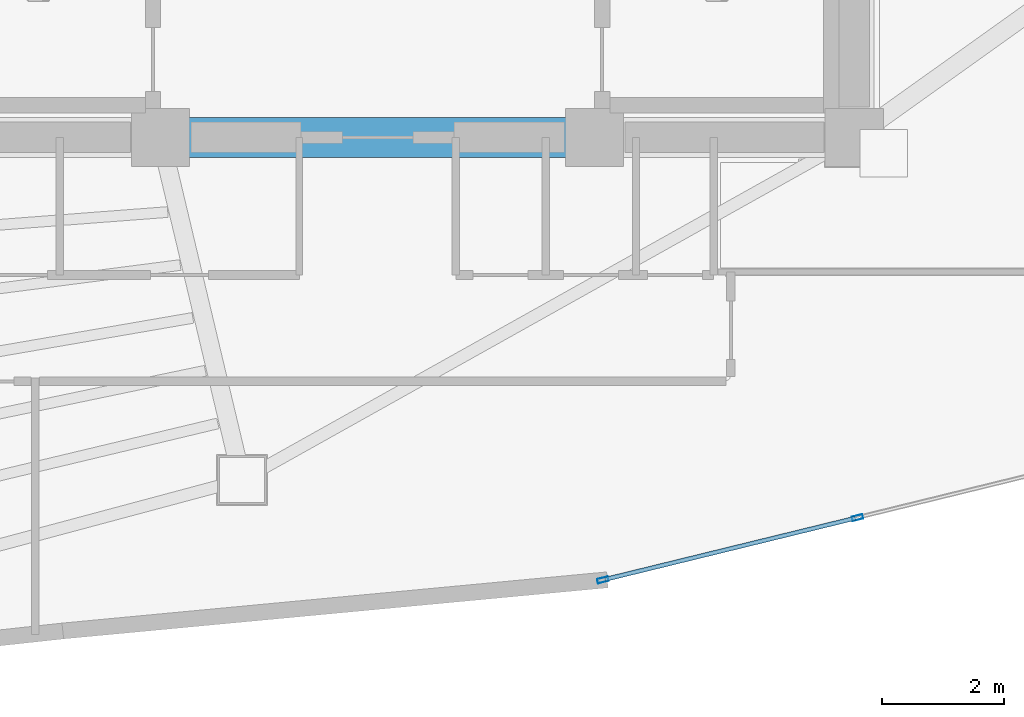
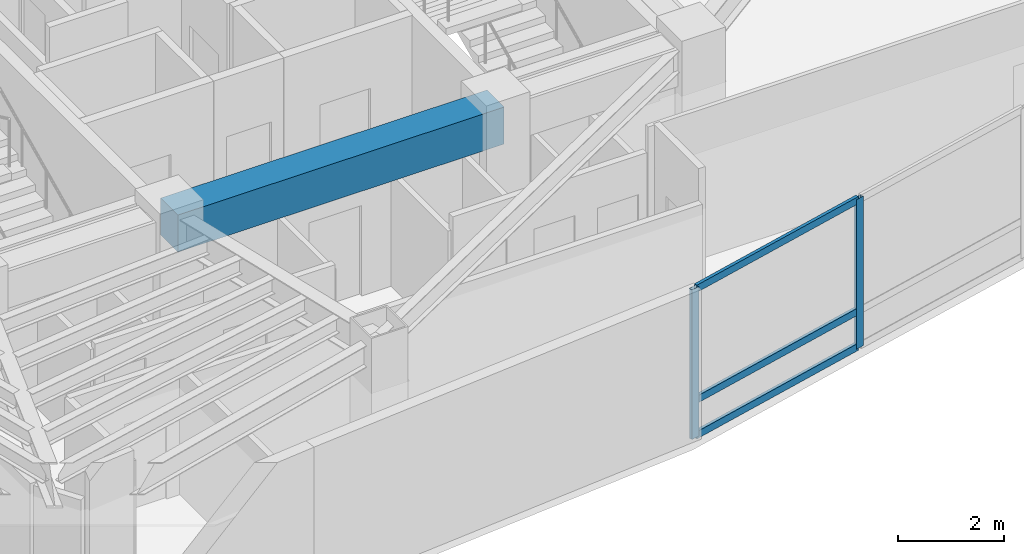
# One storey, part 4 of 17: 5 members, 1 beam, 1 element without a shape of its own.
"""IFC4 building model written with IfcOpenShell, lengths in metres."""

from ifc_helpers import new_model, si_unit, direction, frame, origin, origin_2d, place, context, subcontext, project, spatial, rectangle, hollow_rectangle, extrude, material, layer, layer_set, material_profile, profile_set, type_object, element, aggregate, save


model = new_model("IFC4")

# Units and contexts
model_context = context("Model", 3, precision=1e-05, world=origin(), true_north=direction((0.0, 1.0)))
body_context = subcontext(model_context, "Body", "Model", "MODEL_VIEW")
ifc_project = project(units=[si_unit("LENGTHUNIT", "METRE"), si_unit("AREAUNIT", "SQUARE_METRE"), si_unit("VOLUMEUNIT", "CUBIC_METRE"), si_unit("PLANEANGLEUNIT", "RADIAN"), si_unit("MASSUNIT", "GRAM", prefix="KILO")], contexts=[model_context])

# Site, building, storey
site_placement = place(None, origin())
site = spatial("IfcSite", under=ifc_project, at=site_placement, CompositionType="ELEMENT")
building_placement = place(site_placement, origin())
building = spatial("IfcBuilding", under=site, at=building_placement, Name="Menara Vayukalpa", CompositionType="ELEMENT")
storey_placement = place(building_placement, frame((0.0, 0.0, 234.419921875)))
storey = spatial("IfcBuildingStorey", under=building, at=storey_placement, Name="L59", CompositionType="ELEMENT", Elevation=234.419921875)

# Beam
ifc_material_1 = material(Name="Concrete C60/75", Category="concrete")
ifc_material_profile_1 = material_profile(ifc_material_1, rectangle(XDim=0.64990234375, YDim=0.85009765625, at=origin_2d()), Name="RC 650x850")
ifc_profile_set_1 = profile_set([ifc_material_profile_1], Name="Concrete C60/75")
beam_type = type_object("IfcBeamType", Name="BM-CB1", PredefinedType="BEAM", material=ifc_profile_set_1)
beam_placement = place(storey_placement, frame((22.050048828125, 17.199951171875, 3.01513671875), z_axis=(1.0, 0.0, 0.0), x_axis=(0.0, 1.0, 0.0)))
element("IfcBeam", 1, at=beam_placement, inside=storey, type_object=beam_type, Name="L59 Core Tie Beam CBR2", PredefinedType="BEAM", context=body_context, shape_type="SweptSolid", body=[
    extrude(rectangle(XDim=0.64990234375, YDim=0.85009765625, at=origin_2d()), origin(), (0.0, 0.0, 1.0), 7.099853515625),
])

# Curtain wall, members
ifc_material_2 = material(Name="Anodised Terracotta Aluminium Alloy 6063-T6", Category="masonry")
ifc_layer = layer(ifc_material_2, 0.179931640625)
ifc_layer_set = layer_set([ifc_layer], Name="Anodised Terracotta Aluminium Alloy 6063-T6")
curtain_wall_type = type_object("IfcCurtainWallType", Name="CW-CW4", PredefinedType="USERDEFINED", material=ifc_layer_set)
curtain_wall_placement = place(storey_placement, origin())
curtain_wall = element("IfcCurtainWall", 2, at=curtain_wall_placement, inside=storey, type_object=curtain_wall_type, Name="L59 Sky Bar Cantilever Glazed Curtain Wall CW4 16", ObjectType="UNITISED", PredefinedType="USERDEFINED")
ifc_material_3 = material(Name="Anodised Terracotta Aluminium Alloy 6063-T6", Category="masonry")
ifc_material_profile_2 = material_profile(ifc_material_3, hollow_rectangle(XDim=0.074951171875, YDim=0.179931640625, WallThickness=0.00390625, at=origin_2d()), Name="ALU 75x180x4")
ifc_profile_set_2 = profile_set([ifc_material_profile_2], Name="Anodised Terracotta Aluminium Alloy 6063-T6")
member_type_1 = type_object("IfcMemberType", Name="CWM-CW4", PredefinedType="MULLION", material=ifc_profile_set_2)
member_1_placement = place(storey_placement, frame((29.287109375, 9.958984375, 0.0), z_axis=(0.0, 0.0, 1.0), x_axis=(-0.237809768652, 0.971311749097, 0.0)))
member_1 = element("IfcMember", 3, at=member_1_placement, type_object=member_type_1, Name="CW4 mullion 1", PredefinedType="MULLION", context=body_context, shape_type="SweptSolid", body=[
    extrude(hollow_rectangle(XDim=0.074951171875, YDim=0.179931640625, WallThickness=0.00390625, at=origin_2d()), origin(), (0.0, 0.0, 1.0), 3.440185546875),
])
member_2_placement = place(storey_placement, frame((33.453369140625, 10.97900390625, 0.0), z_axis=(0.0, 0.0, 1.0), x_axis=(-0.237809768652, 0.971311749097, 0.0)))
member_2 = element("IfcMember", 4, at=member_2_placement, type_object=member_type_1, Name="CW4 mullion 2", PredefinedType="MULLION", context=body_context, shape_type="SweptSolid", body=[
    extrude(hollow_rectangle(XDim=0.074951171875, YDim=0.179931640625, WallThickness=0.00390625, at=origin_2d()), origin(), (0.0, 0.0, 1.0), 3.440185546875),
])
ifc_material_4 = material(Name="Anodised Terracotta Aluminium Alloy 6063-T6", Category="masonry")
ifc_material_profile_3 = material_profile(ifc_material_4, hollow_rectangle(XDim=0.070068359375, YDim=0.1650390625, WallThickness=0.00390625, at=origin_2d()), Name="ALU 70x165x4")
ifc_profile_set_3 = profile_set([ifc_material_profile_3], Name="Anodised Terracotta Aluminium Alloy 6063-T6")
member_type_2 = type_object("IfcMemberType", Name="CWT-CW4", PredefinedType="USERDEFINED", material=ifc_profile_set_3)
member_3_placement = place(storey_placement, frame((29.323486328125, 9.968017578125, 0.03515625), z_axis=(0.971313425115, 0.237802923009, 0.0), x_axis=(-0.237802923009, 0.971313425115, 0.0)))
member_3 = element("IfcMember", 5, at=member_3_placement, type_object=member_type_2, Name="CW4 transom 1.1", ObjectType="TRANSOM", PredefinedType="USERDEFINED", context=body_context, shape_type="SweptSolid", body=[
    extrude(hollow_rectangle(XDim=0.070068359375, YDim=0.1650390625, WallThickness=0.00390625, at=origin_2d()), origin(), (0.0, 0.0, 1.0), 4.21435546875),
])
member_4_placement = place(storey_placement, frame((29.323486328125, 9.968017578125, 0.85009765625), z_axis=(0.971313425115, 0.237802923009, 0.0), x_axis=(-0.237802923009, 0.971313425115, 0.0)))
member_4 = element("IfcMember", 6, at=member_4_placement, type_object=member_type_2, Name="CW4 transom 1.2", ObjectType="TRANSOM", PredefinedType="USERDEFINED", context=body_context, shape_type="SweptSolid", body=[
    extrude(hollow_rectangle(XDim=0.070068359375, YDim=0.1650390625, WallThickness=0.00390625, at=origin_2d()), origin(), (0.0, 0.0, 1.0), 4.21435546875),
])
member_5_placement = place(storey_placement, frame((29.323486328125, 9.968017578125, 3.405029296875), z_axis=(0.971313425115, 0.237802923009, 0.0), x_axis=(-0.237802923009, 0.971313425115, 0.0)))
member_5 = element("IfcMember", 7, at=member_5_placement, type_object=member_type_2, Name="CW4 transom 1.3", ObjectType="TRANSOM", PredefinedType="USERDEFINED", context=body_context, shape_type="SweptSolid", body=[
    extrude(hollow_rectangle(XDim=0.070068359375, YDim=0.1650390625, WallThickness=0.00390625, at=origin_2d()), origin(), (0.0, 0.0, 1.0), 4.21435546875),
])
aggregate(curtain_wall, [member_1, member_2, member_3, member_4, member_5])

save(model, "model.ifc")
